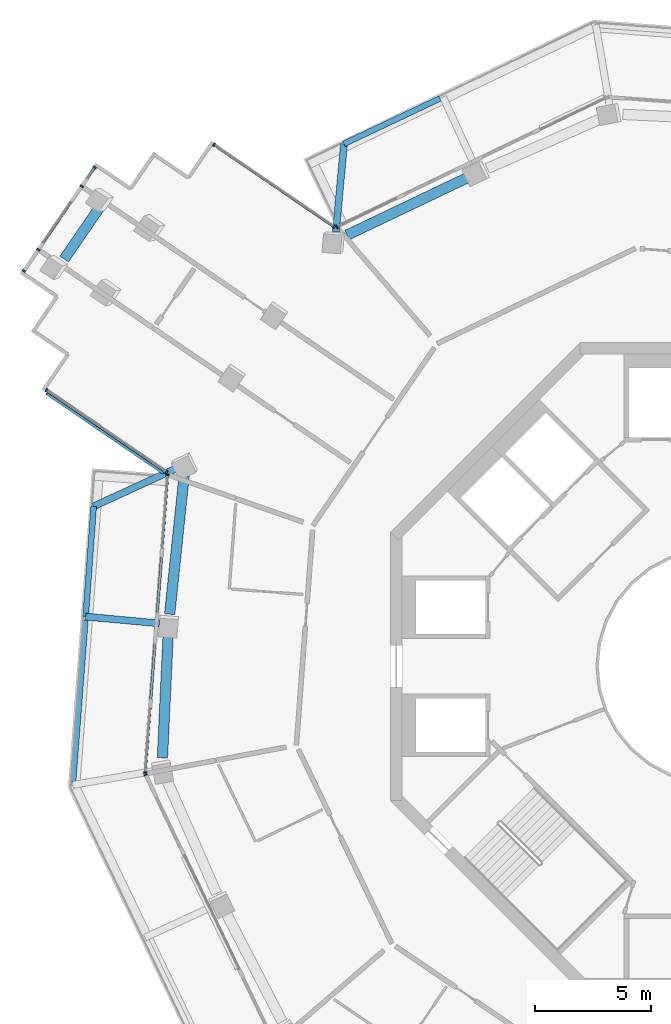
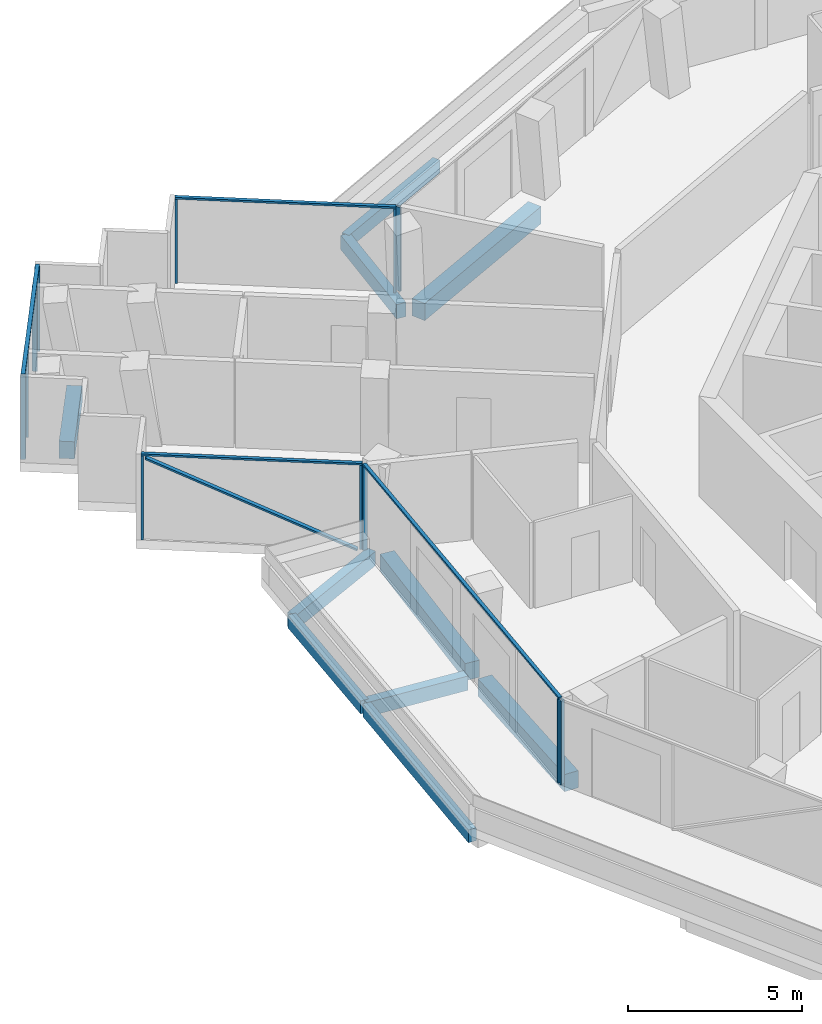
# One storey, part 6 of 23: 17 members, 10 beams, 6 elements without a shape of their own.
"""IFC4 building model written with IfcOpenShell, lengths in metres."""

from ifc_helpers import new_model, si_unit, direction, frame, origin, origin_2d, place, context, subcontext, project, spatial, rectangle, extrude, material, layer, layer_set, material_profile, profile_set, type_object, element, aggregate, save


model = new_model("IFC4")

# Units and contexts
model_context = context("Model", 3, precision=1e-05, world=origin(), true_north=direction((0.0, 1.0)))
body_context = subcontext(model_context, "Body", "Model", "MODEL_VIEW")
ifc_project = project(units=[si_unit("LENGTHUNIT", "METRE"), si_unit("AREAUNIT", "SQUARE_METRE"), si_unit("VOLUMEUNIT", "CUBIC_METRE"), si_unit("PLANEANGLEUNIT", "RADIAN"), si_unit("MASSUNIT", "GRAM", prefix="KILO")], contexts=[model_context])

# Site, building, storey
site_placement = place(None, origin())
site = spatial("IfcSite", under=ifc_project, at=site_placement, CompositionType="ELEMENT")
building_placement = place(site_placement, origin())
building = spatial("IfcBuilding", under=site, at=building_placement, Name="Verdalira Terraces Hotel", CompositionType="ELEMENT")
storey_placement = place(building_placement, frame((0.0, 0.0, 259.5)))
storey = spatial("IfcBuildingStorey", under=building, at=storey_placement, Name="L64", CompositionType="ELEMENT", Elevation=259.5)

# Beams
ifc_material_1 = material(Name="Concrete C40", Category="concrete")
ifc_material_profile_1 = material_profile(ifc_material_1, rectangle(XDim=0.300049, YDim=0.5, at=origin_2d()), Name="RC 300X500")
ifc_profile_set_1 = profile_set([ifc_material_profile_1], Name="Concrete C40")
beam_type_1 = type_object("IfcBeamType", Name="Balcony cantilever beam RC 300X500 C40", PredefinedType="BEAM", material=ifc_profile_set_1)
beam_1_placement = place(storey_placement, frame((-23.238281, 8.565674, -0.560059), z_axis=(-0.908364167, -0.418180034, 0.0), x_axis=(0.418180034, -0.908364167, 0.0)))
element("IfcBeam", 1, at=beam_1_placement, inside=storey, type_object=beam_type_1, Name="Balcony cantilever beam R11-3", PredefinedType="BEAM", context=body_context, shape_type="SweptSolid", body=[
    extrude(rectangle(XDim=0.300049, YDim=0.5, at=origin_2d()), origin(), (0.0, 0.0, 1.0), 3.950195),
])
beam_2_placement = place(storey_placement, frame((-23.986572, 1.854004, -0.560059), z_axis=(-0.995759587, 0.091993723, 0.0), x_axis=(-0.091993723, -0.995759587, 0.0)))
element("IfcBeam", 2, at=beam_2_placement, inside=storey, type_object=beam_type_1, Name="Balcony cantilever beam R11-4", PredefinedType="BEAM", context=body_context, shape_type="SweptSolid", body=[
    extrude(rectangle(XDim=0.300049, YDim=0.5, at=origin_2d()), origin(), (0.0, 0.0, 1.0), 3.200684),
])
beam_3_placement = place(storey_placement, frame((-16.358154, 18.7771, -0.560059), z_axis=(0.092033919, 0.995755873, 0.0), x_axis=(-0.995755873, 0.092033919, 0.0)))
element("IfcBeam", 3, at=beam_3_placement, inside=storey, type_object=beam_type_1, Name="Balcony cantilever beam R40-2", PredefinedType="BEAM", context=body_context, shape_type="SweptSolid", body=[
    extrude(rectangle(XDim=0.300049, YDim=0.5, at=origin_2d()), origin(), (0.0, 0.0, 1.0), 3.819824),
])
ifc_material_2 = material(Name="Concrete C40", Category="concrete")
ifc_material_profile_2 = material_profile(ifc_material_2, rectangle(XDim=0.25, YDim=0.449951, at=origin_2d()), Name="RC 250X450")
ifc_profile_set_2 = profile_set([ifc_material_profile_2], Name="Concrete C40")
beam_type_2 = type_object("IfcBeamType", Name="Balcony edge beam RC 250X450 C40", PredefinedType="BEAM", material=ifc_profile_set_2)
beam_4_placement = place(storey_placement, frame((-26.826416, 6.913818, -0.534912), z_axis=(-0.07265953, -0.997356803, 0.0), x_axis=(0.997356803, -0.07265953, 0.0)))
element("IfcBeam", 4, at=beam_4_placement, inside=storey, type_object=beam_type_2, Name="Balcony edge beam R11-2", PredefinedType="BEAM", context=body_context, shape_type="SweptSolid", body=[
    extrude(rectangle(XDim=0.25, YDim=0.449951, at=origin_2d()), origin(), (0.0, 0.0, 1.0), 4.778076),
])
beam_5_placement = place(storey_placement, frame((-27.185059, 1.998779, -0.534912), z_axis=(-0.076130336, -0.997097875, 0.0), x_axis=(0.997097875, -0.076130336, 0.0)))
element("IfcBeam", 5, at=beam_5_placement, inside=storey, type_object=beam_type_2, Name="Balcony edge beam R11-3", PredefinedType="BEAM", context=body_context, shape_type="SweptSolid", body=[
    extrude(rectangle(XDim=0.25, YDim=0.449951, at=origin_2d()), origin(), (0.0, 0.0, 1.0), 6.990967),
])
beam_6_placement = place(storey_placement, frame((-11.861816, 24.543213, -0.534912), z_axis=(-0.90381479, -0.427923855, 0.0), x_axis=(0.427923855, -0.90381479, 0.0)))
element("IfcBeam", 6, at=beam_6_placement, inside=storey, type_object=beam_type_2, Name="Balcony edge beam R40-1", PredefinedType="BEAM", context=body_context, shape_type="SweptSolid", body=[
    extrude(rectangle(XDim=0.25, YDim=0.449951, at=origin_2d()), origin(), (0.0, 0.0, 1.0), 4.585938),
])

# Curtain wall, members
ifc_material_3 = material(Name="Clear glass", Category="glass")
ifc_layer_1 = layer(ifc_material_3, 0.14990234375)
ifc_layer_set_1 = layer_set([ifc_layer_1], Name="CW1 curtain wall")
curtain_wall_type_1 = type_object("IfcCurtainWallType", Name="CW1 curtain wall", PredefinedType="NOTDEFINED", material=ifc_layer_set_1)
curtain_wall_1_placement = place(storey_placement, origin())
curtain_wall_1 = element("IfcCurtainWall", 7, at=curtain_wall_1_placement, inside=storey, type_object=curtain_wall_type_1, Name="CW1 curtain wall L64 edge 11", PredefinedType="NOTDEFINED")
ifc_material_4 = material(Name="Terracotta frame", Category="masonry")
ifc_material_profile_3 = material_profile(ifc_material_4, rectangle(XDim=0.060059, YDim=0.149902, at=origin_2d()), Name="MU 60x150")
ifc_profile_set_3 = profile_set([ifc_material_profile_3], Name="Terracotta frame")
member_type_1 = type_object("IfcMemberType", Name="CW1 mullion 60x150", PredefinedType="MULLION", material=ifc_profile_set_3)
member_1_placement = place(storey_placement, frame((-23.627197, 8.273193, 0.0), z_axis=(0.0, 0.0, 1.0), x_axis=(-0.075326806, -0.9971589, 0.0)))
member_1 = element("IfcMember", 8, at=member_1_placement, type_object=member_type_1, Name="CW1 mullion", PredefinedType="MULLION", context=body_context, shape_type="SweptSolid", body=[
    extrude(rectangle(XDim=0.060059, YDim=0.149902, at=origin_2d()), origin(), (0.0, 0.0, 1.0), 2.935059),
])
member_2_placement = place(storey_placement, frame((-24.598877, -4.589844, 0.0), z_axis=(0.0, 0.0, 1.0), x_axis=(-0.075326806, -0.9971589, 0.0)))
member_2 = element("IfcMember", 9, at=member_2_placement, type_object=member_type_1, Name="CW1 mullion", PredefinedType="MULLION", context=body_context, shape_type="SweptSolid", body=[
    extrude(rectangle(XDim=0.060059, YDim=0.149902, at=origin_2d()), origin(), (0.0, 0.0, 1.0), 2.935059),
])

# Curtain wall, member
curtain_wall_2_placement = place(storey_placement, origin())
curtain_wall_2 = element("IfcCurtainWall", 10, at=curtain_wall_2_placement, inside=storey, type_object=curtain_wall_type_1, Name="CW1 curtain wall L64 edge 12", PredefinedType="NOTDEFINED")
member_3_placement = place(storey_placement, frame((-24.581055, -4.685059, 0.0), z_axis=(0.0, 0.0, 1.0), x_axis=(0.433344523, -0.901228342, 0.0)))
member_3 = element("IfcMember", 11, at=member_3_placement, type_object=member_type_1, Name="CW1 mullion", PredefinedType="MULLION", context=body_context, shape_type="SweptSolid", body=[
    extrude(rectangle(XDim=0.060059, YDim=0.149902, at=origin_2d()), origin(), (0.0, 0.0, 1.0), 2.935059),
])
aggregate(curtain_wall_2, [member_3])

curtain_wall_3_placement = place(storey_placement, origin())
curtain_wall_3 = element("IfcCurtainWall", 12, at=curtain_wall_3_placement, inside=storey, type_object=curtain_wall_type_1, Name="CW1 curtain wall L64 edge 41", PredefinedType="NOTDEFINED")
member_4_placement = place(storey_placement, frame((-16.310547, 18.990967, 0.0), z_axis=(0.0, 0.0, 1.0), x_axis=(-0.901228342, -0.433344523, 0.0)))
member_4 = element("IfcMember", 13, at=member_4_placement, type_object=member_type_1, Name="CW1 mullion", PredefinedType="MULLION", context=body_context, shape_type="SweptSolid", body=[
    extrude(rectangle(XDim=0.060059, YDim=0.149902, at=origin_2d()), origin(), (0.0, 0.0, 1.0), 2.935059),
])
aggregate(curtain_wall_3, [member_4])

# Member
ifc_material_5 = material(Name="Terracotta frame", Category="masonry")
ifc_material_profile_4 = material_profile(ifc_material_5, rectangle(XDim=0.110107, YDim=0.064941, at=origin_2d()), Name="TR 65x110")
ifc_profile_set_4 = profile_set([ifc_material_profile_4], Name="Terracotta frame")
member_type_2 = type_object("IfcMemberType", Name="CW1 transom 65x110", PredefinedType="USERDEFINED", material=ifc_profile_set_4)
member_5_placement = place(storey_placement, frame((-23.625, 8.303223, 2.967529), z_axis=(-0.075333655, -0.997158383, 0.0), x_axis=(0.997158383, -0.075333655, 0.0)))
member_5 = element("IfcMember", 14, at=member_5_placement, type_object=member_type_2, Name="CW1 transom", ObjectType="TRANSOM", PredefinedType="USERDEFINED", context=body_context, shape_type="SweptSolid", body=[
    extrude(rectangle(XDim=0.110107, YDim=0.064941, at=origin_2d()), origin(), (0.0, 0.0, 1.0), 12.959961),
])

aggregate(curtain_wall_1, [member_1, member_2, member_5])

# Curtain wall, members
ifc_material_6 = material(Name="Clear glass", Category="glass")
ifc_layer_2 = layer(ifc_material_6, 0.14990234375)
ifc_layer_set_2 = layer_set([ifc_layer_2], Name="CW2 curtain wall")
curtain_wall_type_2 = type_object("IfcCurtainWallType", Name="CW2 curtain wall", PredefinedType="NOTDEFINED", material=ifc_layer_set_2)
curtain_wall_4_placement = place(storey_placement, origin())
curtain_wall_4 = element("IfcCurtainWall", 15, at=curtain_wall_4_placement, inside=storey, type_object=curtain_wall_type_2, Name="CW2 curtain wall L64 edge 0", PredefinedType="NOTDEFINED")
ifc_material_7 = material(Name="Terracotta frame", Category="masonry")
ifc_material_profile_5 = material_profile(ifc_material_7, rectangle(XDim=0.070068, YDim=0.149902, at=origin_2d()), Name="MU 70x150")
ifc_profile_set_5 = profile_set([ifc_material_profile_5], Name="Terracotta frame")
member_type_3 = type_object("IfcMemberType", Name="CW2 mullion 70x150", PredefinedType="MULLION", material=ifc_profile_set_5)
member_6_placement = place(storey_placement, frame((-16.441406, 19.003418, 0.0), z_axis=(0.0, 0.0, 1.0), x_axis=(-0.825901536, 0.563814377, 0.0)))
member_6 = element("IfcMember", 16, at=member_6_placement, type_object=member_type_3, Name="CW2 mullion", PredefinedType="MULLION", context=body_context, shape_type="SweptSolid", body=[
    extrude(rectangle(XDim=0.070068, YDim=0.149902, at=origin_2d()), origin(), (0.0, 0.0, 1.0), 2.935059),
])
member_7_placement = place(storey_placement, frame((-21.62793, 22.543945, 0.0), z_axis=(0.0, 0.0, 1.0), x_axis=(-0.825901536, 0.563814377, 0.0)))
member_7 = element("IfcMember", 17, at=member_7_placement, type_object=member_type_3, Name="CW2 mullion", PredefinedType="MULLION", context=body_context, shape_type="SweptSolid", body=[
    extrude(rectangle(XDim=0.070068, YDim=0.149902, at=origin_2d()), origin(), (0.0, 0.0, 1.0), 2.935059),
])

curtain_wall_5_placement = place(storey_placement, origin())
curtain_wall_5 = element("IfcCurtainWall", 18, at=curtain_wall_5_placement, inside=storey, type_object=curtain_wall_type_2, Name="CW2 curtain wall L64 edge 10", PredefinedType="NOTDEFINED")
member_8_placement = place(storey_placement, frame((-28.872803, 11.931152, 0.0), z_axis=(0.0, 0.0, 1.0), x_axis=(0.825901536, -0.563814377, 0.0)))
member_8 = element("IfcMember", 19, at=member_8_placement, type_object=member_type_3, Name="CW2 mullion", PredefinedType="MULLION", context=body_context, shape_type="SweptSolid", body=[
    extrude(rectangle(XDim=0.070068, YDim=0.149902, at=origin_2d()), origin(), (0.0, 0.0, 1.0), 2.935059),
])
member_9_placement = place(storey_placement, frame((-23.686523, 8.390625, 0.0), z_axis=(0.0, 0.0, 1.0), x_axis=(0.825901536, -0.563814377, 0.0)))
member_9 = element("IfcMember", 20, at=member_9_placement, type_object=member_type_3, Name="CW2 mullion", PredefinedType="MULLION", context=body_context, shape_type="SweptSolid", body=[
    extrude(rectangle(XDim=0.070068, YDim=0.149902, at=origin_2d()), origin(), (0.0, 0.0, 1.0), 2.935059),
])

# Member
ifc_material_8 = material(Name="Terracotta frame", Category="masonry")
ifc_material_profile_6 = material_profile(ifc_material_8, rectangle(XDim=0.11499, YDim=0.064941, at=origin_2d()), Name="TR 65x115")
ifc_profile_set_6 = profile_set([ifc_material_profile_6], Name="Terracotta frame")
member_type_4 = type_object("IfcMemberType", Name="CW2 transom 65x115", PredefinedType="USERDEFINED", material=ifc_profile_set_6)
member_10_placement = place(storey_placement, frame((-16.412598, 18.983643, 2.967529), z_axis=(-0.825895308, 0.563823501, 0.0), x_axis=(-0.563823501, -0.825895308, 0.0)))
member_10 = element("IfcMember", 21, at=member_10_placement, type_object=member_type_4, Name="CW2 transom", ObjectType="TRANSOM", PredefinedType="USERDEFINED", context=body_context, shape_type="SweptSolid", body=[
    extrude(rectangle(XDim=0.11499, YDim=0.064941, at=origin_2d()), origin(), (0.0, 0.0, 1.0), 6.349609),
])

aggregate(curtain_wall_4, [member_6, member_7, member_10])

member_11_placement = place(storey_placement, frame((-28.901855, 11.950928, 2.967529), z_axis=(0.82590753, -0.563805597, 0.0), x_axis=(0.563805597, 0.82590753, 0.0)))
member_11 = element("IfcMember", 22, at=member_11_placement, type_object=member_type_4, Name="CW2 transom", ObjectType="TRANSOM", PredefinedType="USERDEFINED", context=body_context, shape_type="SweptSolid", body=[
    extrude(rectangle(XDim=0.11499, YDim=0.064941, at=origin_2d()), origin(), (0.0, 0.0, 1.0), 6.349854),
])

# Curtain wall, members
ifc_material_9 = material(Name="Clear glass", Category="glass")
ifc_layer_3 = layer(ifc_material_9, 0.14990234375)
ifc_layer_set_3 = layer_set([ifc_layer_3], Name="CW3 curtain wall")
curtain_wall_type_3 = type_object("IfcCurtainWallType", Name="CW3 curtain wall", PredefinedType="NOTDEFINED", material=ifc_layer_set_3)
curtain_wall_6_placement = place(storey_placement, origin())
curtain_wall_6 = element("IfcCurtainWall", 23, at=curtain_wall_6_placement, inside=storey, type_object=curtain_wall_type_3, Name="CW3 curtain wall L64 edge 5", PredefinedType="NOTDEFINED")
ifc_material_10 = material(Name="Terracotta frame", Category="masonry")
ifc_material_profile_7 = material_profile(ifc_material_10, rectangle(XDim=0.080078, YDim=0.149902, at=origin_2d()), Name="MU 80x150")
ifc_profile_set_7 = profile_set([ifc_material_profile_7], Name="Terracotta frame")
member_type_5 = type_object("IfcMemberType", Name="CW3 mullion 80x150", PredefinedType="MULLION", material=ifc_profile_set_7)
member_12_placement = place(storey_placement, frame((-26.786621, 21.567627, 0.0), z_axis=(0.0, 0.0, 1.0), x_axis=(-0.563814377, -0.825901536, 0.0)))
member_12 = element("IfcMember", 24, at=member_12_placement, type_object=member_type_5, Name="CW3 mullion", PredefinedType="MULLION", context=body_context, shape_type="SweptSolid", body=[
    extrude(rectangle(XDim=0.080078, YDim=0.149902, at=origin_2d()), origin(), (0.0, 0.0, 1.0), 2.935059),
])
member_13_placement = place(storey_placement, frame((-27.347168, 20.746338, 0.0), z_axis=(0.0, 0.0, 1.0), x_axis=(-0.563814377, -0.825901536, 0.0)))
member_13 = element("IfcMember", 25, at=member_13_placement, type_object=member_type_5, Name="CW3 mullion", PredefinedType="MULLION", context=body_context, shape_type="SweptSolid", body=[
    extrude(rectangle(XDim=0.080078, YDim=0.149902, at=origin_2d()), origin(), (0.0, 0.0, 1.0), 2.935059),
])
member_14_placement = place(storey_placement, frame((-29.216064, 18.008545, 0.0), z_axis=(0.0, 0.0, 1.0), x_axis=(-0.563814377, -0.825901536, 0.0)))
member_14 = element("IfcMember", 26, at=member_14_placement, type_object=member_type_5, Name="CW3 mullion", PredefinedType="MULLION", context=body_context, shape_type="SweptSolid", body=[
    extrude(rectangle(XDim=0.080078, YDim=0.149902, at=origin_2d()), origin(), (0.0, 0.0, 1.0), 2.935059),
])
member_15_placement = place(storey_placement, frame((-29.842529, 17.091064, 0.0), z_axis=(0.0, 0.0, 1.0), x_axis=(-0.563814377, -0.825901536, 0.0)))
member_15 = element("IfcMember", 27, at=member_15_placement, type_object=member_type_5, Name="CW3 mullion", PredefinedType="MULLION", context=body_context, shape_type="SweptSolid", body=[
    extrude(rectangle(XDim=0.080078, YDim=0.149902, at=origin_2d()), origin(), (0.0, 0.0, 1.0), 2.935059),
])
ifc_material_11 = material(Name="Terracotta frame", Category="masonry")
ifc_material_profile_8 = material_profile(ifc_material_11, rectangle(XDim=0.120117, YDim=0.064941, at=origin_2d()), Name="TR 65x120")
ifc_profile_set_8 = profile_set([ifc_material_profile_8], Name="Terracotta frame")
member_type_6 = type_object("IfcMemberType", Name="CW3 transom 65x120", PredefinedType="USERDEFINED", material=ifc_profile_set_8)
member_16_placement = place(storey_placement, frame((-26.763916, 21.600586, 2.967529), z_axis=(-0.563824313, -0.825894754, 0.0), x_axis=(0.825894754, -0.563824313, 0.0)))
member_16 = element("IfcMember", 28, at=member_16_placement, type_object=member_type_6, Name="CW3 transom", ObjectType="TRANSOM", PredefinedType="USERDEFINED", context=body_context, shape_type="SweptSolid", body=[
    extrude(rectangle(XDim=0.120117, YDim=0.064941, at=origin_2d()), origin(), (0.0, 0.0, 1.0), 5.5),
])
aggregate(curtain_wall_6, [member_12, member_13, member_14, member_15, member_16])

# Member
ifc_material_12 = material(Name="Terracotta frame", Category="masonry")
ifc_material_profile_9 = material_profile(ifc_material_12, rectangle(XDim=0.149902, YDim=0.060059, at=origin_2d()), Name="GB 60x150")
ifc_profile_set_9 = profile_set([ifc_material_profile_9], Name="Terracotta frame")
member_type_7 = type_object("IfcMemberType", Name="Diagonal glazing bar 60x150", PredefinedType="USERDEFINED", material=ifc_profile_set_9)
member_17_placement = place(storey_placement, frame((-28.846436, 11.802979, 2.906982), z_axis=(0.746704771, -0.509760893, -0.427288915), x_axis=(0.563822982, 0.825895663, 0.0)))
member_17 = element("IfcMember", 29, at=member_17_placement, type_object=member_type_7, Name="Diagonal glazing bar", ObjectType="GLAZING BAR", PredefinedType="USERDEFINED", context=body_context, shape_type="SweptSolid", body=[
    extrude(rectangle(XDim=0.149902, YDim=0.060059, at=origin_2d()), origin(), (0.0, 0.0, 1.0), 6.737549),
])

aggregate(curtain_wall_5, [member_8, member_9, member_11, member_17])

# Beams
ifc_material_13 = material(Name="Concrete C40", Category="concrete")
ifc_material_profile_10 = material_profile(ifc_material_13, rectangle(XDim=0.449951, YDim=0.600098, at=origin_2d()), Name="RC 450X600")
ifc_profile_set_10 = profile_set([ifc_material_profile_10], Name="Concrete C40")
beam_type_3 = type_object("IfcBeamType", Name="Spandrel beam RC 450X600 C40", PredefinedType="SPANDREL", material=ifc_profile_set_10)
beam_7_placement = place(storey_placement, frame((-26.512207, 19.916016, -0.610107), z_axis=(-0.566233835, -0.82424465, 0.0), x_axis=(0.82424465, -0.566233835, 0.0)))
element("IfcBeam", 30, at=beam_7_placement, inside=storey, type_object=beam_type_3, Name="Spandrel beam B01", PredefinedType="SPANDREL", context=body_context, shape_type="SweptSolid", body=[
    extrude(rectangle(XDim=0.449951, YDim=0.600098, at=origin_2d()), origin(), (0.0, 0.0, 1.0), 2.810303),
])
beam_8_placement = place(storey_placement, frame((-22.919189, 8.220703, -0.610107), z_axis=(-0.104006944, -0.994576571, 0.0), x_axis=(0.994576571, -0.104006944, 0.0)))
element("IfcBeam", 31, at=beam_8_placement, inside=storey, type_object=beam_type_3, Name="Spandrel beam B02", PredefinedType="SPANDREL", context=body_context, shape_type="SweptSolid", body=[
    extrude(rectangle(XDim=0.449951, YDim=0.600098, at=origin_2d()), origin(), (0.0, 0.0, 1.0), 5.999756),
])
beam_9_placement = place(storey_placement, frame((-23.604736, 1.433594, -0.610107), z_axis=(-0.046524413, -0.998917153, 0.0), x_axis=(0.998917153, -0.046524413, 0.0)))
element("IfcBeam", 32, at=beam_9_placement, inside=storey, type_object=beam_type_3, Name="Spandrel beam B03", PredefinedType="SPANDREL", context=body_context, shape_type="SweptSolid", body=[
    extrude(rectangle(XDim=0.449951, YDim=0.600098, at=origin_2d()), origin(), (0.0, 0.0, 1.0), 5.394531),
])
beam_10_placement = place(storey_placement, frame((-10.555664, 21.17627, -0.610107), z_axis=(-0.902496411, -0.430697374, 0.0), x_axis=(0.430697374, -0.902496411, 0.0)))
element("IfcBeam", 33, at=beam_10_placement, inside=storey, type_object=beam_type_3, Name="Spandrel beam B23", PredefinedType="SPANDREL", context=body_context, shape_type="SweptSolid", body=[
    extrude(rectangle(XDim=0.449951, YDim=0.600098, at=origin_2d()), origin(), (0.0, 0.0, 1.0), 5.892334),
])

save(model, "model.ifc")
